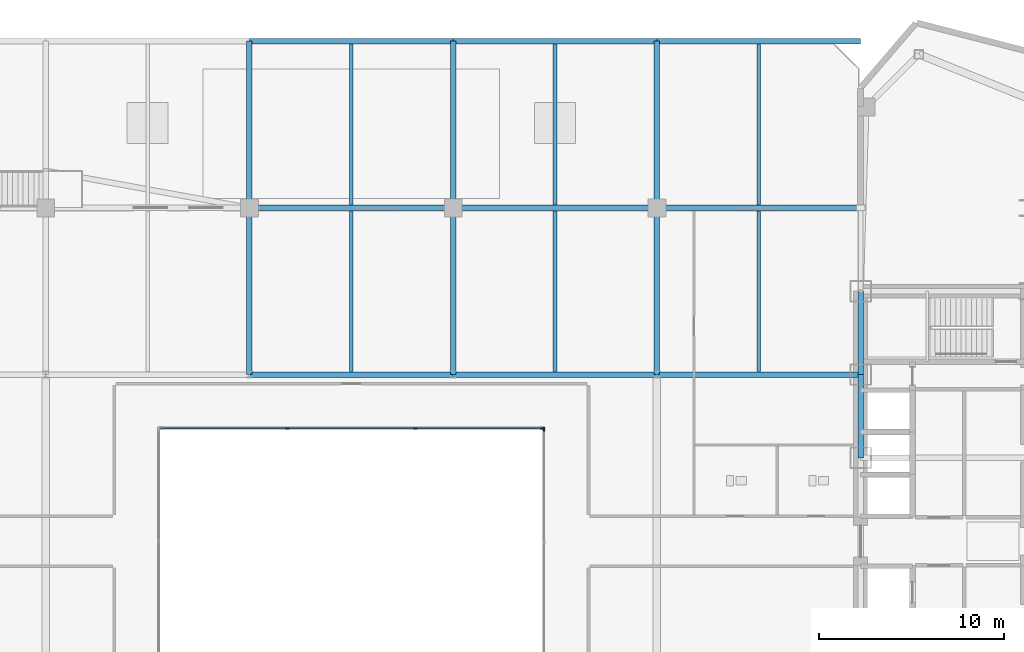
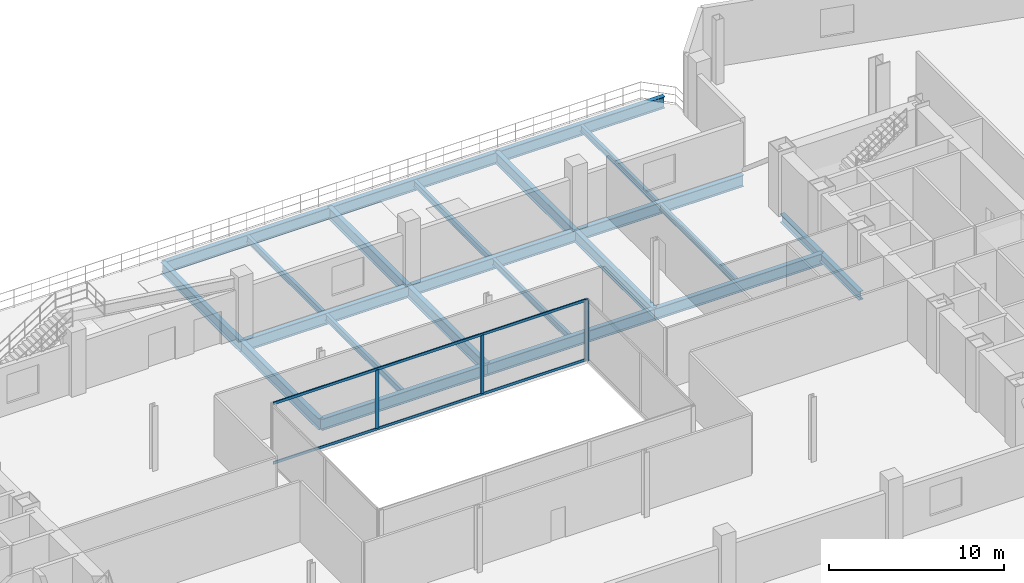
# One storey, part 15 of 27: 23 beams, 6 members, 2 elements without a shape of their own.
"""IFC4 building model written with IfcOpenShell, lengths in metres."""

from ifc_helpers import new_model, si_unit, direction, frame, origin, origin_2d, place, context, subcontext, project, spatial, rectangle, i_section, extrude, source, transform, mapped, material, layer, layer_set, material_profile, profile_set, type_object, type_shapes, element, aggregate, save


model = new_model("IFC4")

# Units and contexts
model_context = context("Model", 3, precision=1e-05, world=origin(), true_north=direction((0.0, 1.0)))
body_context = subcontext(model_context, "Body", "Model", "MODEL_VIEW")
ifc_project = project(units=[si_unit("LENGTHUNIT", "METRE"), si_unit("AREAUNIT", "SQUARE_METRE"), si_unit("VOLUMEUNIT", "CUBIC_METRE"), si_unit("PLANEANGLEUNIT", "RADIAN"), si_unit("MASSUNIT", "GRAM", prefix="KILO")], contexts=[model_context])

# Site, building, storey
site_placement = place(None, origin())
site = spatial("IfcSite", under=ifc_project, at=site_placement, CompositionType="ELEMENT")
building_placement = place(site_placement, origin())
building = spatial("IfcBuilding", under=site, at=building_placement, Name="Seokmaru Belvedere", CompositionType="ELEMENT")
storey_placement = place(building_placement, frame((0.0, 0.0, 9.89990234375)))
storey = spatial("IfcBuildingStorey", under=building, at=storey_placement, Name="L02", CompositionType="ELEMENT", Elevation=9.89990234375)

# Beams
ifc_material_1 = material(Name="Steel SM355 (355 MPa)", Category="steel")
ifc_material_profile_1 = material_profile(ifc_material_1, i_section(OverallWidth=0.300048828125, OverallDepth=0.587890625, WebThickness=0.011962890625, FlangeThickness=0.02001953125, at=origin_2d()), Name="H-588x300x12x20")
ifc_profile_set_1 = profile_set([ifc_material_profile_1], Name="Steel SM355 (355 MPa)")
beam_type_1 = type_object("IfcBeamType", Name="Podium Edge Spandrel Beam H-588", PredefinedType="SPANDREL", material=ifc_profile_set_1)
shared_shape_1 = source(origin(), body_context, "Body", "SweptSolid", [
    extrude(i_section(OverallWidth=0.300048828125, OverallDepth=0.587890625, WebThickness=0.011962890625, FlangeThickness=0.02001953125, at=origin_2d()), origin(), (0.0, 0.0, 1.0), 4.5),
])
type_shapes(beam_type_1, [shared_shape_1])
for number, where, z_axis, x_axis, name in (
    (1, (27.5, 4.5, -0.573974609375), (0.0, 1.0, 0.0), (-1.0, 0.0, 0.0), "L02 E Portal Spine Spandrel 4"),
    (2, (27.5, 9.0, -0.573974609375), (0.0, 1.0, 0.0), (-1.0, 0.0, 0.0), "L02 E Portal Spine Spandrel 5"),
):
    element("IfcBeam", number, at=place(storey_placement, frame(where, z_axis=z_axis, x_axis=x_axis)), inside=storey, type_object=beam_type_1, Name=name, PredefinedType="SPANDREL", context=body_context, shape_type="MappedRepresentation", body=[
        mapped(shared_shape_1, transform((0.0, 0.0, 0.0), scale=1.0)),
    ])
ifc_material_profile_2 = material_profile(ifc_material_1, i_section(OverallWidth=0.300048828125, OverallDepth=0.800048828125, WebThickness=0.013916015625, FlangeThickness=0.02587890625, at=origin_2d()), Name="H-800x300x14x26")
ifc_profile_set_2 = profile_set([ifc_material_profile_2], Name="Steel SM355 (355 MPa)")
beam_type_2 = type_object("IfcBeamType", Name="Podium Primary Girder H-800", PredefinedType="BEAM", material=ifc_profile_set_2)
shared_shape_2 = source(origin(), body_context, "Body", "SweptSolid", [
    extrude(i_section(OverallWidth=0.300048828125, OverallDepth=0.800048828125, WebThickness=0.013916015625, FlangeThickness=0.02587890625, at=origin_2d()), origin(), (0.0, 0.0, 1.0), 9.0),
])
for number, where, z_axis, x_axis, name in (
    (3, (-5.5, 9.0, -0.679931640625), (0.0, 1.0, 0.0), (-1.0, 0.0, 0.0), "L02 Central Podium Transverse Girder 2-4"),
    (4, (-5.5, 18.0, -0.679931640625), (0.0, 1.0, 0.0), (-1.0, 0.0, 0.0), "L02 Central Podium Transverse Girder 2-5"),
    (5, (5.5, 9.0, -0.679931640625), (0.0, 1.0, 0.0), (-1.0, 0.0, 0.0), "L02 Central Podium Transverse Girder 3-4"),
    (6, (5.5, 18.0, -0.679931640625), (0.0, 1.0, 0.0), (-1.0, 0.0, 0.0), "L02 Central Podium Transverse Girder 3-5"),
    (7, (16.5, 9.0, -0.679931640625), (0.0, 1.0, 0.0), (-1.0, 0.0, 0.0), "L02 Central Podium Transverse Girder 4-4"),
    (8, (16.5, 18.0, -0.679931640625), (0.0, 1.0, 0.0), (-1.0, 0.0, 0.0), "L02 Central Podium Transverse Girder 4-5"),
):
    element("IfcBeam", number, at=place(storey_placement, frame(where, z_axis=z_axis, x_axis=x_axis)), inside=storey, type_object=beam_type_2, Name=name, PredefinedType="BEAM", context=body_context, shape_type="MappedRepresentation", body=[
        mapped(shared_shape_2, transform((0.0, 0.0, 0.0), scale=1.0)),
    ])
ifc_material_profile_3 = material_profile(ifc_material_1, i_section(OverallWidth=0.199951171875, OverallDepth=0.449951171875, WebThickness=0.009033203125, FlangeThickness=0.013916015625, at=origin_2d()), Name="H-450x200x9x14")
ifc_profile_set_3 = profile_set([ifc_material_profile_3], Name="Steel SM355 (355 MPa)")
beam_type_3 = type_object("IfcBeamType", Name="Podium Secondary Joist H-450", PredefinedType="JOIST", material=ifc_profile_set_3)
shared_shape_3 = source(origin(), body_context, "Body", "SweptSolid", [
    extrude(i_section(OverallWidth=0.199951171875, OverallDepth=0.449951171875, WebThickness=0.009033203125, FlangeThickness=0.013916015625, at=origin_2d()), origin(), (0.0, 0.0, 1.0), 8.68994140625),
])
type_shapes(beam_type_3, [shared_shape_3])
for number, where, z_axis, x_axis, name in (
    (9, (0.0, 9.155029296875, -0.5048828125), (0.0, 1.0, 0.0), (-1.0, 0.0, 0.0), "L02 Central Podium Secondary Joist 3-3"),
    (10, (0.0, 18.155029296875, -0.5048828125), (0.0, 1.0, 0.0), (-1.0, 0.0, 0.0), "L02 Central Podium Secondary Joist 3-4"),
    (11, (11.0, 9.155029296875, -0.5048828125), (0.0, 1.0, 0.0), (-1.0, 0.0, 0.0), "L02 Central Podium Secondary Joist 4-3"),
    (12, (11.0, 18.155029296875, -0.5048828125), (0.0, 1.0, 0.0), (-1.0, 0.0, 0.0), "L02 Central Podium Secondary Joist 4-4"),
    (13, (22.0, 9.155029296875, -0.5048828125), (0.0, 1.0, 0.0), (-1.0, 0.0, 0.0), "L02 Central Podium Secondary Joist 5-3"),
    (14, (22.0, 18.155029296875, -0.5048828125), (0.0, 1.0, 0.0), (-1.0, 0.0, 0.0), "L02 Central Podium Secondary Joist 5-4"),
):
    element("IfcBeam", number, at=place(storey_placement, frame(where, z_axis=z_axis, x_axis=x_axis)), inside=storey, type_object=beam_type_3, Name=name, PredefinedType="JOIST", context=body_context, shape_type="MappedRepresentation", body=[
        mapped(shared_shape_3, transform((0.0, 0.0, 0.0), scale=1.0)),
    ])
shared_shape_4 = source(origin(), body_context, "Body", "SweptSolid", [
    extrude(i_section(OverallWidth=0.300048828125, OverallDepth=0.800048828125, WebThickness=0.013916015625, FlangeThickness=0.02587890625, at=origin_2d()), origin(), (0.0, 0.0, 1.0), 11.0),
])
type_shapes(beam_type_2, [shared_shape_2, shared_shape_4])
for number, where, z_axis, x_axis, name in (
    (15, (-5.5, 9.0, -0.679931640625), (1.0, 0.0, 0.0), (0.0, 1.0, 0.0), "L02 Central Podium Girder 4-3"),
    (16, (5.5, 9.0, -0.679931640625), (1.0, 0.0, 0.0), (0.0, 1.0, 0.0), "L02 Central Podium Girder 4-4"),
    (17, (16.5, 9.0, -0.679931640625), (1.0, 0.0, 0.0), (0.0, 1.0, 0.0), "L02 Central Podium Girder 4-5"),
    (18, (-5.5, 18.0, -0.679931640625), (1.0, 0.0, 0.0), (0.0, 1.0, 0.0), "L02 Central Podium Girder 5-3"),
    (19, (5.5, 18.0, -0.679931640625), (1.0, 0.0, 0.0), (0.0, 1.0, 0.0), "L02 Central Podium Girder 5-4"),
    (20, (16.5, 18.0, -0.679931640625), (1.0, 0.0, 0.0), (0.0, 1.0, 0.0), "L02 Central Podium Girder 5-5"),
    (21, (-5.5, 27.0, -0.679931640625), (1.0, 0.0, 0.0), (0.0, 1.0, 0.0), "L02 Central Podium Girder 6-3"),
    (22, (5.5, 27.0, -0.679931640625), (1.0, 0.0, 0.0), (0.0, 1.0, 0.0), "L02 Central Podium Girder 6-4"),
    (23, (16.5, 27.0, -0.679931640625), (1.0, 0.0, 0.0), (0.0, 1.0, 0.0), "L02 Central Podium Girder 6-5"),
):
    element("IfcBeam", number, at=place(storey_placement, frame(where, z_axis=z_axis, x_axis=x_axis)), inside=storey, type_object=beam_type_2, Name=name, PredefinedType="BEAM", context=body_context, shape_type="MappedRepresentation", body=[
        mapped(shared_shape_4, transform((0.0, 0.0, 0.0), scale=1.0)),
    ])

# Curtain wall, member
ifc_material_2 = material(Name="Bronze Triple Insulating Glass", Category="glass")
ifc_layer = layer(ifc_material_2, 0.219970703125)
ifc_layer_set = layer_set([ifc_layer], Name="Bronze Triple Insulating Glass")
curtain_wall_type = type_object("IfcCurtainWallType", Name="Podium Concourse Curtain Wall System CW-1", PredefinedType="NOTDEFINED", material=ifc_layer_set)
curtain_wall_1_placement = place(storey_placement, origin())
curtain_wall_1 = element("IfcCurtainWall", 24, at=curtain_wall_1_placement, inside=storey, type_object=curtain_wall_type, Name="L02 Curtain Wall AT_N", PredefinedType="NOTDEFINED")
ifc_material_3 = material(Name="Anodised Bronze Aluminium", Category="aluminium")
ifc_material_profile_4 = material_profile(ifc_material_3, rectangle(XDim=0.080078125, YDim=0.219970703125, at=origin_2d()), Name="CW-M-80x220")
ifc_profile_set_4 = profile_set([ifc_material_profile_4], Name="Anodised Bronze Aluminium")
member_type_1 = type_object("IfcMemberType", Name="Bronze Unitised Mullion 80x220", PredefinedType="MULLION", material=ifc_profile_set_4)
shared_shape_5 = source(origin(), body_context, "Body", "SweptSolid", [
    extrude(rectangle(XDim=0.080078125, YDim=0.219970703125, at=origin_2d()), origin(), (0.0, 0.0, 1.0), 4.22021484375),
])
member_1_placement = place(storey_placement, frame((10.340087890625, 6.10009765625, 0.0), z_axis=(0.0, 0.0, 1.0), x_axis=(0.0, -1.0, 0.0)))
member_1 = element("IfcMember", 25, at=member_1_placement, type_object=member_type_1, Name="CW:L02:AT_N Mullion 1", PredefinedType="MULLION", context=body_context, shape_type="MappedRepresentation", body=[
    mapped(shared_shape_5, transform((0.0, 0.0, 0.0), scale=1.0)),
])

curtain_wall_2_placement = place(storey_placement, origin())
curtain_wall_2 = element("IfcCurtainWall", 26, at=curtain_wall_2_placement, inside=storey, type_object=curtain_wall_type, Name="L02 Curtain Wall AT_E", PredefinedType="NOTDEFINED")
member_2_placement = place(storey_placement, frame((10.39990234375, 6.0400390625, 0.0), z_axis=(0.0, 0.0, 1.0), x_axis=(-1.0, 0.0, 0.0)))
member_2 = element("IfcMember", 27, at=member_2_placement, type_object=member_type_1, Name="CW:L02:AT_E Mullion 3", PredefinedType="MULLION", context=body_context, shape_type="MappedRepresentation", body=[
    mapped(shared_shape_5, transform((0.0, 0.0, 0.0), scale=1.0)),
])
aggregate(curtain_wall_2, [member_2])

# Member
shared_shape_6 = source(origin(), body_context, "Body", "SweptSolid", [
    extrude(rectangle(XDim=0.080078125, YDim=0.219970703125, at=origin_2d()), origin(), (0.0, 0.0, 1.0), 4.06982421875),
])
type_shapes(member_type_1, [shared_shape_5, shared_shape_6])
member_3_placement = place(storey_placement, frame((3.4599609375, 6.10009765625, 0.0751953125), z_axis=(0.0, 0.0, 1.0), x_axis=(0.0, -1.0, 0.0)))
member_3 = element("IfcMember", 28, at=member_3_placement, type_object=member_type_1, Name="CW:L02:AT_N Mullion 2", PredefinedType="MULLION", context=body_context, shape_type="MappedRepresentation", body=[
    mapped(shared_shape_6, transform((0.0, 0.0, 0.0), scale=1.0)),
])

member_4_placement = place(storey_placement, frame((-3.4599609375, 6.10009765625, 0.0751953125), z_axis=(0.0, 0.0, 1.0), x_axis=(0.0, -1.0, 0.0)))
member_4 = element("IfcMember", 29, at=member_4_placement, type_object=member_type_1, Name="CW:L02:AT_N Mullion 3", PredefinedType="MULLION", context=body_context, shape_type="MappedRepresentation", body=[
    mapped(shared_shape_6, transform((0.0, 0.0, 0.0), scale=1.0)),
])

ifc_material_profile_5 = material_profile(ifc_material_3, rectangle(XDim=0.074951171875, YDim=0.179931640625, at=origin_2d()), Name="CW-T-75x180")
ifc_profile_set_5 = profile_set([ifc_material_profile_5], Name="Anodised Bronze Aluminium")
member_type_2 = type_object("IfcMemberType", Name="Bronze Unitised Transom 75x180", PredefinedType="USERDEFINED", material=ifc_profile_set_5)
shared_shape_7 = source(origin(), body_context, "Body", "SweptSolid", [
    extrude(rectangle(XDim=0.074951171875, YDim=0.179931640625, at=origin_2d()), origin(), (0.0, 0.0, 1.0), 20.60009765625),
])
type_shapes(member_type_2, [shared_shape_7])
member_5_placement = place(storey_placement, frame((10.300048828125, 6.10009765625, 0.03759765625), z_axis=(-1.0, 0.0, 0.0), x_axis=(0.0, -1.0, 0.0)))
member_5 = element("IfcMember", 30, at=member_5_placement, type_object=member_type_2, Name="CW:L02:AT_N Continuous Transom 1", ObjectType="TRANSOM", PredefinedType="USERDEFINED", context=body_context, shape_type="MappedRepresentation", body=[
    mapped(shared_shape_7, transform((0.0, 0.0, 0.0), scale=1.0)),
])

member_6_placement = place(storey_placement, frame((10.300048828125, 6.10009765625, 4.1826171875), z_axis=(-1.0, 0.0, 0.0), x_axis=(0.0, -1.0, 0.0)))
member_6 = element("IfcMember", 31, at=member_6_placement, type_object=member_type_2, Name="CW:L02:AT_N Continuous Transom 2", ObjectType="TRANSOM", PredefinedType="USERDEFINED", context=body_context, shape_type="MappedRepresentation", body=[
    mapped(shared_shape_7, transform((0.0, 0.0, 0.0), scale=1.0)),
])

aggregate(curtain_wall_1, [member_1, member_3, member_4, member_5, member_6])

save(model, "model.ifc")
